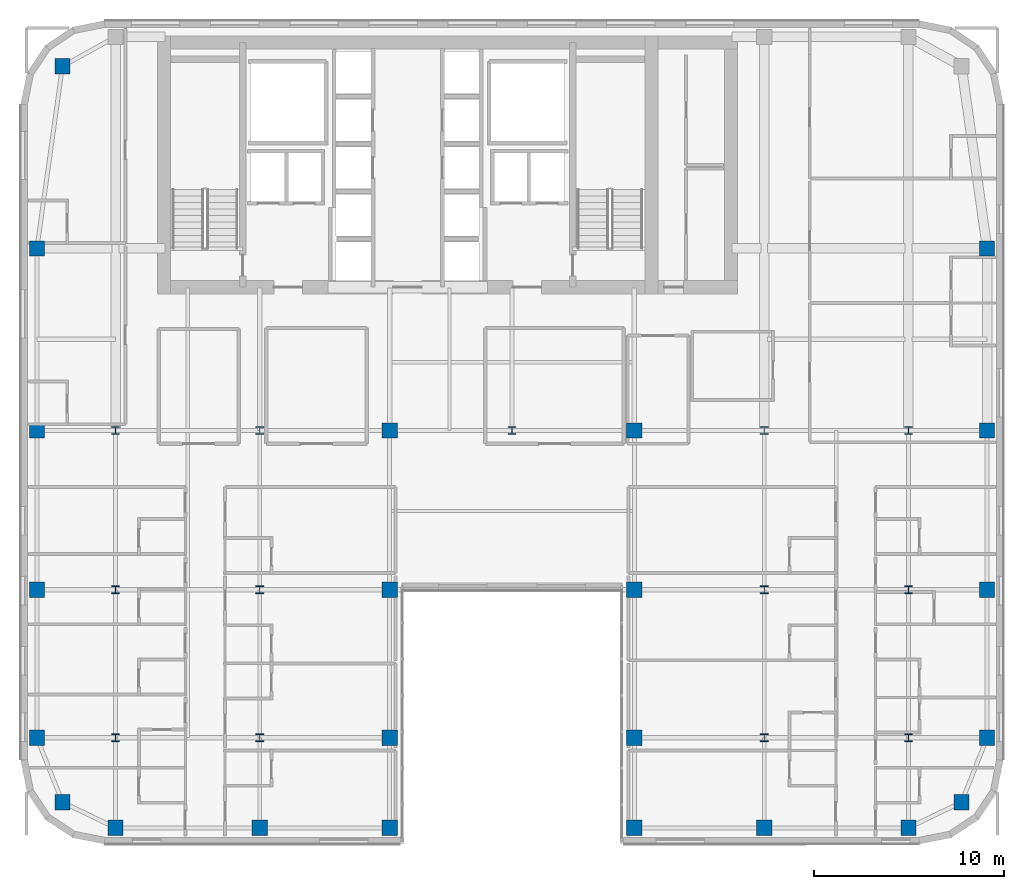
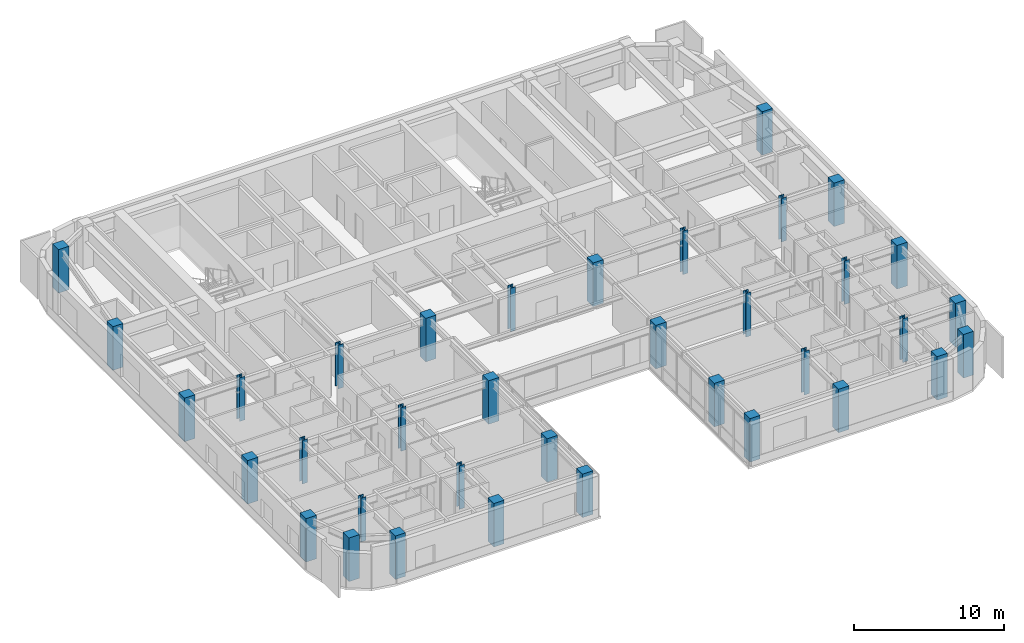
# One storey, part 1 of 21: 36 columns.
"""IFC4 building model written with IfcOpenShell, lengths in metres."""

from ifc_helpers import new_model, si_unit, direction, frame, origin, origin_2d, place, context, subcontext, project, spatial, rectangle, i_section, extrude, source, transform, mapped, material, material_profile, profile_set, type_object, type_shapes, element, save


model = new_model("IFC4")

# Units and contexts
model_context = context("Model", 3, precision=1e-05, world=origin(), true_north=direction((0.0, 1.0)))
body_context = subcontext(model_context, "Body", "Model", "MODEL_VIEW")
ifc_project = project(units=[si_unit("LENGTHUNIT", "METRE"), si_unit("AREAUNIT", "SQUARE_METRE"), si_unit("VOLUMEUNIT", "CUBIC_METRE"), si_unit("PLANEANGLEUNIT", "RADIAN"), si_unit("MASSUNIT", "GRAM", prefix="KILO")], contexts=[model_context])

# Site, building, storey
site_placement = place(None, origin())
site = spatial("IfcSite", under=ifc_project, at=site_placement, CompositionType="ELEMENT")
building_placement = place(site_placement, origin())
building = spatial("IfcBuilding", under=site, at=building_placement, Name="Tolvann Quenvar Hotel", CompositionType="ELEMENT")
storey_placement = place(building_placement, frame((0.0, 0.0, 161.25)))
storey = spatial("IfcBuildingStorey", under=building, at=storey_placement, Name="L42", CompositionType="ELEMENT", Elevation=161.25)

# Columns
ifc_material_1 = material(Name="Concrete N50 (50 MPa)", Category="concrete")
ifc_material_profile_1 = material_profile(ifc_material_1, rectangle(XDim=0.800048828125, YDim=0.800048828125, at=origin_2d()), Name="RC800x800")
ifc_profile_set_1 = profile_set([ifc_material_profile_1], Name="Concrete N50 (50 MPa)")
column_type_1 = type_object("IfcColumnType", Name="COL_RC800", PredefinedType="COLUMN", material=ifc_profile_set_1)
shared_shape_1 = source(origin(), body_context, "Body", "SweptSolid", [
    extrude(rectangle(XDim=0.800048828125, YDim=0.800048828125, at=origin_2d()), origin(), (0.0, 0.0, 1.0), 3.550048828125),
])
type_shapes(column_type_1, [shared_shape_1])
for number, where, z_axis, x_axis, name in (
    (1, (4.800048828125, 4.800048828125, 0.0), (0.0, 0.0, 1.0), (1.0, 0.0, 0.0), "Column B2 (L42)"),
    (2, (3.449951171875, 8.199951171875, 0.0), (0.0, 0.0, 1.0), (1.0, 0.0, 0.0), "Column B3 (L42)"),
    (3, (3.449951171875, 16.0, 0.0), (0.0, 0.0, 1.0), (1.0, 0.0, 0.0), "Column B4 (L42)"),
    (4, (3.449951171875, 24.39990234375, 0.0), (0.0, 0.0, 1.0), (1.0, 0.0, 0.0), "Column B5 (L42)"),
    (5, (7.60009765625, 3.449951171875, 0.0), (0.0, 0.0, 1.0), (1.0, 0.0, 0.0), "Column C2 (L42)"),
    (6, (15.199951171875, 3.449951171875, 0.0), (0.0, 0.0, 1.0), (1.0, 0.0, 0.0), "Column D2 (L42)"),
    (7, (22.050048828125, 3.449951171875, 0.0), (0.0, 0.0, 1.0), (1.0, 0.0, 0.0), "Column E2 (L42)"),
    (8, (22.050048828125, 8.199951171875, 0.0), (0.0, 0.0, 1.0), (1.0, 0.0, 0.0), "Column E3 (L42)"),
    (9, (22.050048828125, 16.0, 0.0), (0.0, 0.0, 1.0), (1.0, 0.0, 0.0), "Column E4 (L42)"),
    (10, (22.050048828125, 24.39990234375, 0.0), (0.0, 0.0, 1.0), (1.0, 0.0, 0.0), "Column E5 (L42)"),
    (11, (34.949951171875, 3.449951171875, 0.0), (0.0, 0.0, 1.0), (1.0, 0.0, 0.0), "Column F2 (L42)"),
    (12, (34.949951171875, 8.199951171875, 0.0), (0.0, 0.0, 1.0), (1.0, 0.0, 0.0), "Column F3 (L42)"),
    (13, (34.949951171875, 16.0, 0.0), (0.0, 0.0, 1.0), (1.0, 0.0, 0.0), "Column F4 (L42)"),
    (14, (34.949951171875, 24.39990234375, 0.0), (0.0, 0.0, 1.0), (1.0, 0.0, 0.0), "Column F5 (L42)"),
    (15, (41.800048828125, 3.449951171875, 0.0), (0.0, 0.0, 1.0), (1.0, 0.0, 0.0), "Column H2 (L42)"),
    (16, (49.39990234375, 3.449951171875, 0.0), (0.0, 0.0, 1.0), (1.0, 0.0, 0.0), "Column I2 (L42)"),
    (17, (52.199951171875, 4.800048828125, 0.0), (0.0, 0.0, 1.0), (1.0, 0.0, 0.0), "Column J2 (L42)"),
    (18, (53.550048828125, 8.199951171875, 0.0), (0.0, 0.0, 1.0), (1.0, 0.0, 0.0), "Column J3 (L42)"),
    (19, (53.550048828125, 16.0, 0.0), (0.0, 0.0, 1.0), (1.0, 0.0, 0.0), "Column J4 (L42)"),
    (20, (53.550048828125, 24.39990234375, 0.0), (0.0, 0.0, 1.0), (1.0, 0.0, 0.0), "Column J5 (L42)"),
    (21, (4.800048828125, 43.60009765625, 0.0), (0.0, 0.0, 1.0), (1.0, 0.0, 0.0), "Column BN (L42)"),
    (22, (3.449951171875, 34.0, 0.0), (0.0, 0.0, 1.0), (1.0, 0.0, 0.0), "Column BD6 (L42)"),
    (23, (53.550048828125, 34.0, 0.0), (0.0, 0.0, 1.0), (1.0, 0.0, 0.0), "Column JD6 (L42)"),
):
    element("IfcColumn", number, at=place(storey_placement, frame(where, z_axis=z_axis, x_axis=x_axis)), inside=storey, type_object=column_type_1, Name=name, PredefinedType="COLUMN", context=body_context, shape_type="MappedRepresentation", body=[
        mapped(shared_shape_1, transform((0.0, 0.0, 0.0), x_axis=(1.0, 0.0, 0.0), y_axis=(0.0, 1.0, 0.0), z_axis=(0.0, 0.0, 1.0), scale=1.0)),
    ])
ifc_material_2 = material(Name="Steel Grade 350", Category="steel")
ifc_material_profile_2 = material_profile(ifc_material_2, i_section(OverallWidth=0.39990234375, OverallDepth=0.39990234375, WebThickness=0.02001953125, FlangeThickness=0.034912109375, at=origin_2d()), Name="400WC270")
ifc_profile_set_2 = profile_set([ifc_material_profile_2], Name="Steel Grade 350")
column_type_2 = type_object("IfcColumnType", Name="COL_400WC270", PredefinedType="COLUMN", material=ifc_profile_set_2)
shared_shape_2 = source(origin(), body_context, "Body", "SweptSolid", [
    extrude(i_section(OverallWidth=0.39990234375, OverallDepth=0.39990234375, WebThickness=0.02001953125, FlangeThickness=0.034912109375, at=origin_2d()), origin(), (0.0, 0.0, 1.0), 3.550048828125),
])
type_shapes(column_type_2, [shared_shape_2])
for number, where, z_axis, x_axis, name in (
    (24, (7.60009765625, 8.199951171875, 0.0), (0.0, 0.0, 1.0), (1.0, 0.0, 0.0), "Column C3 (L42)"),
    (25, (7.60009765625, 16.0, 0.0), (0.0, 0.0, 1.0), (1.0, 0.0, 0.0), "Column C4 (L42)"),
    (26, (7.60009765625, 24.39990234375, 0.0), (0.0, 0.0, 1.0), (1.0, 0.0, 0.0), "Column C5 (L42)"),
    (27, (15.199951171875, 8.199951171875, 0.0), (0.0, 0.0, 1.0), (1.0, 0.0, 0.0), "Column D3 (L42)"),
    (28, (15.199951171875, 16.0, 0.0), (0.0, 0.0, 1.0), (1.0, 0.0, 0.0), "Column D4 (L42)"),
    (29, (15.199951171875, 24.39990234375, 0.0), (0.0, 0.0, 1.0), (1.0, 0.0, 0.0), "Column D5 (L42)"),
    (30, (41.800048828125, 8.199951171875, 0.0), (0.0, 0.0, 1.0), (1.0, 0.0, 0.0), "Column H3 (L42)"),
    (31, (41.800048828125, 16.0, 0.0), (0.0, 0.0, 1.0), (1.0, 0.0, 0.0), "Column H4 (L42)"),
    (32, (41.800048828125, 24.39990234375, 0.0), (0.0, 0.0, 1.0), (1.0, 0.0, 0.0), "Column H5 (L42)"),
    (33, (49.39990234375, 8.199951171875, 0.0), (0.0, 0.0, 1.0), (1.0, 0.0, 0.0), "Column I3 (L42)"),
    (34, (49.39990234375, 16.0, 0.0), (0.0, 0.0, 1.0), (1.0, 0.0, 0.0), "Column I4 (L42)"),
    (35, (49.39990234375, 24.39990234375, 0.0), (0.0, 0.0, 1.0), (1.0, 0.0, 0.0), "Column I5 (L42)"),
    (36, (28.5, 24.39990234375, 0.0), (0.0, 0.0, 1.0), (1.0, 0.0, 0.0), "Column M5 (L42)"),
):
    element("IfcColumn", number, at=place(storey_placement, frame(where, z_axis=z_axis, x_axis=x_axis)), inside=storey, type_object=column_type_2, Name=name, PredefinedType="COLUMN", context=body_context, shape_type="MappedRepresentation", body=[
        mapped(shared_shape_2, transform((0.0, 0.0, 0.0), x_axis=(1.0, 0.0, 0.0), y_axis=(0.0, 1.0, 0.0), z_axis=(0.0, 0.0, 1.0), scale=1.0)),
    ])

save(model, "model.ifc")
